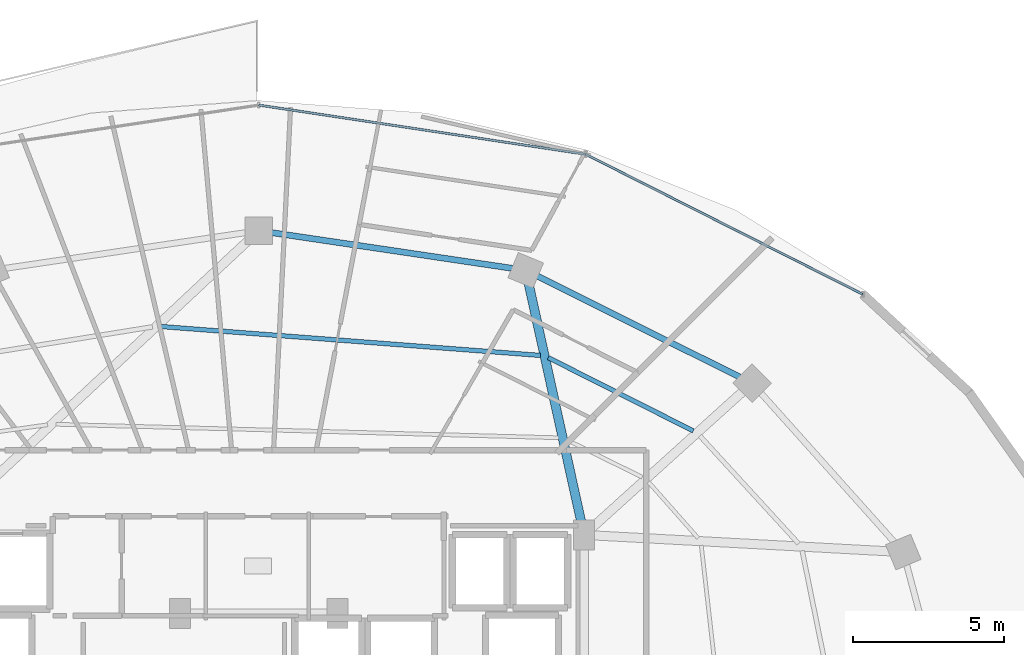
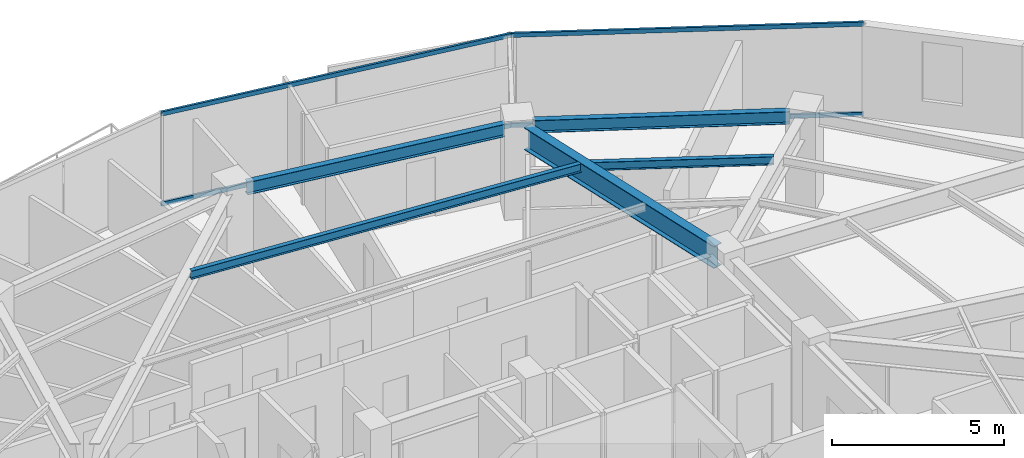
# One storey, part 19 of 31: 5 beams, 4 members, 1 element without a shape of its own.
"""IFC4 building model written with IfcOpenShell, lengths in metres."""

from ifc_helpers import new_model, si_unit, direction, frame, origin, origin_2d, place, context, subcontext, project, spatial, hollow_rectangle, i_section, extrude, material, material_profile, profile_set, type_object, element, aggregate, save


model = new_model("IFC4")

# Units and contexts
model_context = context("Model", 3, precision=1e-05, world=origin(), true_north=direction((0.0, 1.0)))
body_context = subcontext(model_context, "Body", "Model", "MODEL_VIEW")
ifc_project = project(units=[si_unit("LENGTHUNIT", "METRE"), si_unit("AREAUNIT", "SQUARE_METRE"), si_unit("VOLUMEUNIT", "CUBIC_METRE"), si_unit("PLANEANGLEUNIT", "RADIAN"), si_unit("MASSUNIT", "GRAM", prefix="KILO")], contexts=[model_context])

# Site, building, storey
site_placement = place(None, origin())
site = spatial("IfcSite", under=ifc_project, at=site_placement, CompositionType="ELEMENT")
building_placement = place(site_placement, origin())
building = spatial("IfcBuilding", under=site, at=building_placement, Name="Vorneva Point Tower", CompositionType="ELEMENT")
storey_placement = place(building_placement, frame((0.0, 0.0, 193.10009765625)))
storey = spatial("IfcBuildingStorey", under=building, at=storey_placement, Name="L52", CompositionType="ELEMENT", Elevation=193.10009765625)

# Beams
ifc_material_1 = material(Name="Steel S355", Category="steel")
ifc_material_profile_1 = material_profile(ifc_material_1, i_section(OverallWidth=0.300048828125, OverallDepth=0.7880859375, WebThickness=0.014404296875, FlangeThickness=0.02197265625, at=origin_2d()), Name="80Sh1")
ifc_profile_set_1 = profile_set([ifc_material_profile_1], Name="Steel S355")
beam_type_1 = type_object("IfcBeamType", Name="BM-GRD-80Sh1", PredefinedType="USERDEFINED", material=ifc_profile_set_1)
beam_1_placement = place(storey_placement, frame((46.915283203125, 41.462890625, 2.845947265625), z_axis=(0.215522758292, -0.976498817541, 0.0), x_axis=(0.976498817541, 0.215522758292, 0.0)))
element("IfcBeam", 1, at=beam_1_placement, inside=storey, type_object=beam_type_1, Name="L52 Radial Primary Girder 04", ObjectType="GIRDER", PredefinedType="USERDEFINED", context=body_context, shape_type="SweptSolid", body=[
    extrude(i_section(OverallWidth=0.300048828125, OverallDepth=0.7880859375, WebThickness=0.014404296875, FlangeThickness=0.02197265625, at=origin_2d()), origin(), (0.0, 0.0, 1.0), 8.173095703125),
])
ifc_material_profile_2 = material_profile(ifc_material_1, i_section(OverallWidth=0.14892578125, OverallDepth=0.298095703125, WebThickness=0.005615234375, FlangeThickness=0.008056640625, at=origin_2d()), Name="30B1")
ifc_profile_set_2 = profile_set([ifc_material_profile_2], Name="Steel S355")
beam_type_2 = type_object("IfcBeamType", Name="BM-JST-30B1", PredefinedType="JOIST", material=ifc_profile_set_2)
beam_2_placement = place(storey_placement, frame((52.359130859375, 36.583740234375, 3.0908203125), z_axis=(-0.892445275424, 0.451155660912, 0.0), x_axis=(-0.451155660912, -0.892445275424, 0.0)))
element("IfcBeam", 2, at=beam_2_placement, inside=storey, type_object=beam_type_2, Name="L52 Secondary Floor Beam 1.03", PredefinedType="JOIST", context=body_context, shape_type="SweptSolid", body=[
    extrude(i_section(OverallWidth=0.14892578125, OverallDepth=0.298095703125, WebThickness=0.005615234375, FlangeThickness=0.008056640625, at=origin_2d()), origin(), (0.0, 0.0, 1.0), 5.369873046875),
])
beam_3_placement = place(storey_placement, frame((47.30615234375, 39.0791015625, 3.0908203125), z_axis=(-0.99710914337, 0.075982604646, 0.0), x_axis=(-0.075982604646, -0.99710914337, 0.0)))
element("IfcBeam", 3, at=beam_3_placement, inside=storey, type_object=beam_type_2, Name="L52 Secondary Floor Beam 1.04", PredefinedType="JOIST", context=body_context, shape_type="SweptSolid", body=[
    extrude(i_section(OverallWidth=0.14892578125, OverallDepth=0.298095703125, WebThickness=0.005615234375, FlangeThickness=0.008056640625, at=origin_2d()), origin(), (0.0, 0.0, 1.0), 12.579345703125),
])
ifc_material_profile_3 = material_profile(ifc_material_1, i_section(OverallWidth=0.198974609375, OverallDepth=0.446044921875, WebThickness=0.008056640625, FlangeThickness=0.011962890625, at=origin_2d()), Name="45B1")
ifc_profile_set_3 = profile_set([ifc_material_profile_3], Name="Steel S355")
beam_type_3 = type_object("IfcBeamType", Name="BM-SPN-45B1", PredefinedType="SPANDREL", material=ifc_profile_set_3)
beam_4_placement = place(storey_placement, frame((53.909423828125, 38.356201171875, 3.016845703125), z_axis=(-0.894922371084, 0.446221861559, 0.0), x_axis=(-0.446221861559, -0.894922371084, 0.0)))
element("IfcBeam", 4, at=beam_4_placement, inside=storey, type_object=beam_type_3, Name="L52 Perimeter Spandrel Ring Beam 03", PredefinedType="SPANDREL", context=body_context, shape_type="SweptSolid", body=[
    extrude(i_section(OverallWidth=0.198974609375, OverallDepth=0.446044921875, WebThickness=0.008056640625, FlangeThickness=0.011962890625, at=origin_2d()), origin(), (0.0, 0.0, 1.0), 7.48583984375),
])
beam_5_placement = place(storey_placement, frame((46.390625, 41.95458984375, 3.016845703125), z_axis=(-0.989165476332, 0.146804837907, 0.0), x_axis=(-0.146804837907, -0.989165476332, 0.0)))
element("IfcBeam", 5, at=beam_5_placement, inside=storey, type_object=beam_type_3, Name="L52 Perimeter Spandrel Ring Beam 04", PredefinedType="SPANDREL", context=body_context, shape_type="SweptSolid", body=[
    extrude(i_section(OverallWidth=0.198974609375, OverallDepth=0.446044921875, WebThickness=0.008056640625, FlangeThickness=0.011962890625, at=origin_2d()), origin(), (0.0, 0.0, 1.0), 8.04736328125),
])

# Curtain wall, members
ifc_material_2 = material(Name="Pale anodised aluminium", Category="aluminium")
curtain_wall_type = type_object("IfcCurtainWallType", Name="CW-RES-SYS", PredefinedType="NOTDEFINED", material=ifc_material_2)
curtain_wall_placement = place(storey_placement, origin())
curtain_wall = element("IfcCurtainWall", 6, at=curtain_wall_placement, inside=storey, type_object=curtain_wall_type, Name="L52 Unitised Curtain Wall CW-L52-R02", PredefinedType="NOTDEFINED")
ifc_material_profile_4 = material_profile(ifc_material_2, hollow_rectangle(XDim=0.074951171875, YDim=0.14990234375, WallThickness=0.00390625, at=origin_2d()), Name="AL-TRN 150x75x4")
ifc_profile_set_4 = profile_set([ifc_material_profile_4], Name="Pale anodised aluminium")
member_type = type_object("IfcMemberType", Name="CW-TRN-150", PredefinedType="USERDEFINED", material=ifc_profile_set_4)
member_1_placement = place(storey_placement, frame((57.961669921875, 41.0966796875, 0.02001953125), z_axis=(-0.892510927709, 0.451025768576, 0.0), x_axis=(-0.451025768576, -0.892510927709, 0.0)))
member_1 = element("IfcMember", 7, at=member_1_placement, type_object=member_type, Name="CW-L52-R02 Transom 01.1", ObjectType="TRANSOM", PredefinedType="USERDEFINED", context=body_context, shape_type="SweptSolid", body=[
    extrude(hollow_rectangle(XDim=0.074951171875, YDim=0.14990234375, WallThickness=0.00390625, at=origin_2d()), origin(), (0.0, 0.0, 1.0), 10.261474609375),
])
member_2_placement = place(storey_placement, frame((57.961669921875, 41.0966796875, 3.219970703125), z_axis=(-0.892510927709, 0.451025768576, 0.0), x_axis=(-0.451025768576, -0.892510927709, 0.0)))
member_2 = element("IfcMember", 8, at=member_2_placement, type_object=member_type, Name="CW-L52-R02 Transom 01.2", ObjectType="TRANSOM", PredefinedType="USERDEFINED", context=body_context, shape_type="SweptSolid", body=[
    extrude(hollow_rectangle(XDim=0.074951171875, YDim=0.14990234375, WallThickness=0.00390625, at=origin_2d()), origin(), (0.0, 0.0, 1.0), 10.261474609375),
])
member_3_placement = place(storey_placement, frame((48.80322265625, 45.724853515625, 0.02001953125), z_axis=(-0.988872333273, 0.148766624239, 0.0), x_axis=(-0.148766624239, -0.988872333273, 0.0)))
member_3 = element("IfcMember", 9, at=member_3_placement, type_object=member_type, Name="CW-L52-R02 Transom 02.1", ObjectType="TRANSOM", PredefinedType="USERDEFINED", context=body_context, shape_type="SweptSolid", body=[
    extrude(hollow_rectangle(XDim=0.074951171875, YDim=0.14990234375, WallThickness=0.00390625, at=origin_2d()), origin(), (0.0, 0.0, 1.0), 10.9248046875),
])
member_4_placement = place(storey_placement, frame((48.80322265625, 45.724853515625, 3.219970703125), z_axis=(-0.988872333273, 0.148766624239, 0.0), x_axis=(-0.148766624239, -0.988872333273, 0.0)))
member_4 = element("IfcMember", 10, at=member_4_placement, type_object=member_type, Name="CW-L52-R02 Transom 02.2", ObjectType="TRANSOM", PredefinedType="USERDEFINED", context=body_context, shape_type="SweptSolid", body=[
    extrude(hollow_rectangle(XDim=0.074951171875, YDim=0.14990234375, WallThickness=0.00390625, at=origin_2d()), origin(), (0.0, 0.0, 1.0), 10.9248046875),
])
aggregate(curtain_wall, [member_1, member_2, member_3, member_4])

save(model, "model.ifc")
